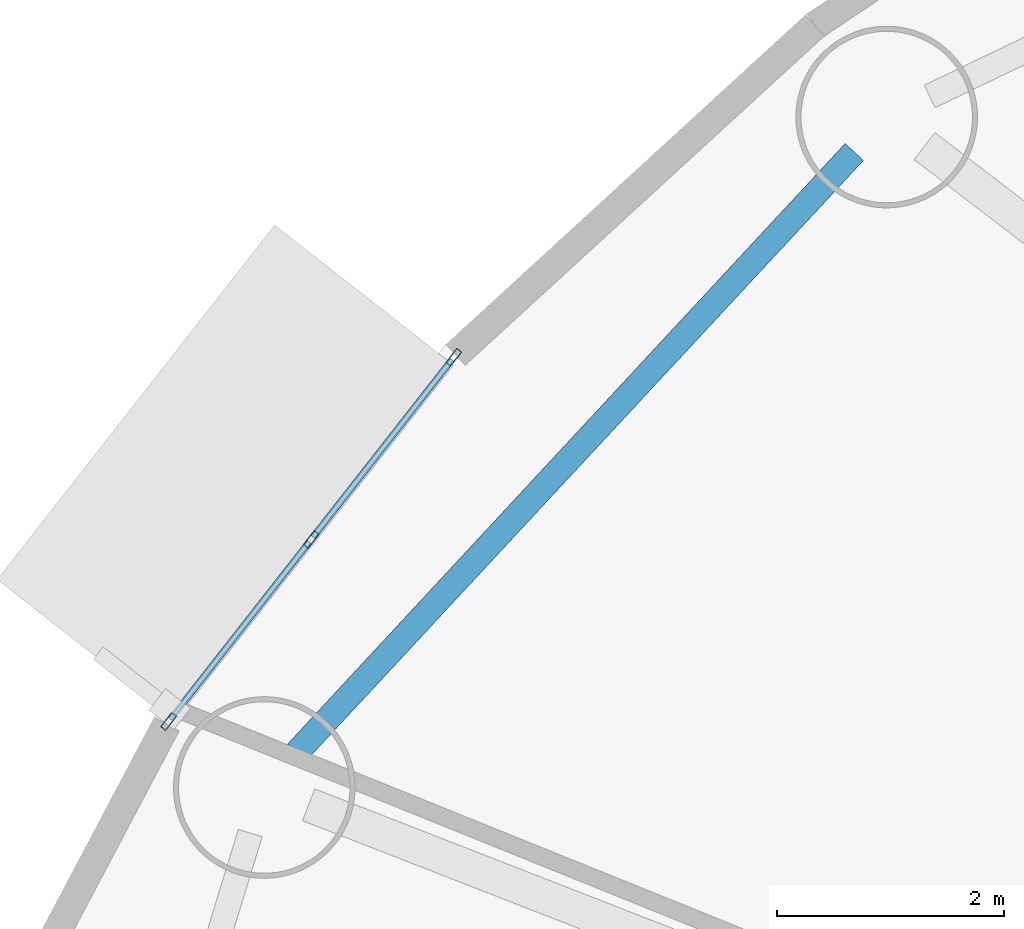
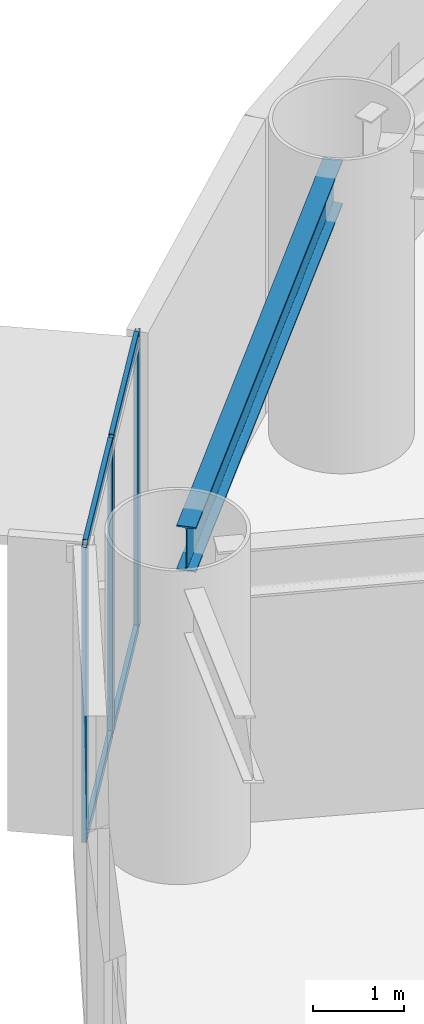
# One storey, part 10 of 32: 7 members, 1 beam, 1 element without a shape of its own.
"""IFC4 building model written with IfcOpenShell, lengths in metres."""

import ifcopenshell
import ifcopenshell.guid

model = None  # the IFC model being written
_history = None  # IfcOwnerHistory: only IFC2X3 demands one
_inside = {}  # id of a spatial element -> (the spatial element, [elements in it])
_under = {}  # id of a project, library or spatial element -> (it, [spatial elements below it])
_declared = {}  # id of a project -> (the project, [libraries it declares])
_typed = {}  # id of a type object -> (the type object, [elements of that type])
_made_of = {}  # id of a material, layer set ... -> (it, [elements and type objects made of it])


def new_model(schema):
    """Start an empty IFC model of exactly this schema.

    Asked for "IFC4X3", IfcOpenShell would pick the latest addendum, in which some entities
    have other attributes; the version numbers below select the first issue.
    IFC2X3 requires an IfcOwnerHistory on every rooted entity: one is made here for all.
    """
    global model, _history
    if schema == "IFC4X3":
        model = ifcopenshell.file(schema_version=(4, 3, 0, 0))
    else:
        model = ifcopenshell.file(schema=schema)
    _inside.clear()
    _under.clear()
    _declared.clear()
    _typed.clear()
    _made_of.clear()
    _history = None
    if model.schema == "IFC2X3":
        org = make("IfcOrganization", Name="unknown")
        user = make(
            "IfcPersonAndOrganization",
            ThePerson=make("IfcPerson", FamilyName="unknown"),
            TheOrganization=org,
        )
        app = make(
            "IfcApplication",
            ApplicationDeveloper=org,
            Version="unknown",
            ApplicationFullName="unknown",
            ApplicationIdentifier="unknown",
        )
        _history = make(
            "IfcOwnerHistory",
            OwningUser=user,
            OwningApplication=app,
            ChangeAction="ADDED",
            CreationDate=0,
        )
    return model


def make(cls, **values):
    """One entity of the class cls with the attributes given. An attribute that is None is left unset."""
    return model.create_entity(
        cls, **{name: value for name, value in values.items() if value is not None}
    )


def rooted(cls, **values):
    """An entity with a GlobalId (a new one), such as an element, a storey or a relation."""
    return make(cls, GlobalId=ifcopenshell.guid.new(), OwnerHistory=_history, **values)


def si_unit(unit_type, name, prefix=None):
    """IfcSIUnit, for example si_unit("LENGTHUNIT", "METRE", prefix="MILLI")."""
    return make("IfcSIUnit", UnitType=unit_type, Prefix=prefix, Name=name)


def assignment(units):
    """IfcUnitAssignment: the units of a project."""
    return None if units is None else make("IfcUnitAssignment", Units=units)


def point(xyz):
    """IfcCartesianPoint."""
    return None if xyz is None else make("IfcCartesianPoint", Coordinates=xyz)


def direction(xyz):
    """IfcDirection."""
    return None if xyz is None else make("IfcDirection", DirectionRatios=xyz)


def frame(location, z_axis=None, x_axis=None):
    """IfcAxis2Placement3D, a coordinate frame: its origin and axes. An axis left out is left unset."""
    return make(
        "IfcAxis2Placement3D",
        Location=point(location),
        Axis=direction(z_axis),
        RefDirection=direction(x_axis),
    )


def frame_2d(location, x_axis=None):
    """IfcAxis2Placement2D, a coordinate frame in the plane: its origin and x axis."""
    return make(
        "IfcAxis2Placement2D", Location=point(location), RefDirection=direction(x_axis)
    )


def origin():
    """The frame at (0, 0, 0) with its axes left unset."""
    return frame((0.0, 0.0, 0.0))


def origin_2d():
    """The frame at (0, 0) in the plane with its x axis left unset."""
    return frame_2d((0.0, 0.0))


def place(relative_to, where):
    """IfcLocalPlacement: puts the frame where relative to a parent placement (None: the world)."""
    return make(
        "IfcLocalPlacement", PlacementRelTo=relative_to, RelativePlacement=where
    )


def context(
    kind, dimensions, precision=None, world=None, true_north=None, identifier=None
):
    """IfcGeometricRepresentationContext, for example the 3D "Model" context."""
    return make(
        "IfcGeometricRepresentationContext",
        ContextIdentifier=identifier,
        ContextType=kind,
        CoordinateSpaceDimension=dimensions,
        Precision=precision,
        WorldCoordinateSystem=world,
        TrueNorth=true_north,
    )


def subcontext(parent, identifier, kind, view, scale=None):
    """IfcGeometricRepresentationSubContext, for example "Body" below "Model"."""
    return make(
        "IfcGeometricRepresentationSubContext",
        ContextIdentifier=identifier,
        ContextType=kind,
        ParentContext=parent,
        TargetScale=scale,
        TargetView=view,
    )


def project(units=None, contexts=None):
    """IfcProject with its units and contexts."""
    return rooted(
        "IfcProject",
        Name="project",
        RepresentationContexts=contexts,
        UnitsInContext=assignment(units),
    )


def spatial(cls, under=None, at=None, **own):
    """A site, building, storey or space (cls), placed at a placement, below another one or the project."""
    s = rooted(cls, ObjectPlacement=at, **own)
    if under is not None:
        _under.setdefault(under.id(), (under, []))[1].append(s)
    return s


def profile(cls, at=None, kind="AREA", **sizes):
    """A parametric profile (cls). Its sizes go by their IFC names, for example OverallWidth=200.0."""
    return make(cls, ProfileType=kind, Position=at, **sizes)


def hollow_rectangle(**sizes):
    """IfcRectangleHollowProfileDef."""
    return profile("IfcRectangleHollowProfileDef", **sizes)


def i_section(**sizes):
    """IfcIShapeProfileDef."""
    return profile("IfcIShapeProfileDef", **sizes)


def extrude(swept, where, along, depth):
    """IfcExtrudedAreaSolid: the profile swept, set in the frame where, extruded along a direction by depth."""
    return make(
        "IfcExtrudedAreaSolid",
        SweptArea=swept,
        Position=where,
        ExtrudedDirection=direction(along),
        Depth=depth,
    )


def shape(context_of_items, identifier, shape_type, items):
    """IfcShapeRepresentation: the items that make up one representation, for example the "Body"."""
    return make(
        "IfcShapeRepresentation",
        ContextOfItems=context_of_items,
        RepresentationIdentifier=identifier,
        RepresentationType=shape_type,
        Items=items,
    )


def source(mapping_origin, context_of_items, identifier, shape_type, items):
    """IfcRepresentationMap: a shape defined once, which mapped items show again and again."""
    return make(
        "IfcRepresentationMap",
        MappingOrigin=mapping_origin,
        MappedRepresentation=shape(context_of_items, identifier, shape_type, items),
    )


def transform(
    local_origin,
    x_axis=None,
    y_axis=None,
    z_axis=None,
    scale=None,
    scale2=None,
    scale3=None,
    uniform=True,
):
    """IfcCartesianTransformationOperator3D, or its non-uniform kind. x_axis, y_axis, z_axis: its Axis1, 2, 3."""
    if uniform:
        return make(
            "IfcCartesianTransformationOperator3D",
            Axis1=direction(x_axis),
            Axis2=direction(y_axis),
            LocalOrigin=point(local_origin),
            Scale=scale,
            Axis3=direction(z_axis),
        )
    return make(
        "IfcCartesianTransformationOperator3DnonUniform",
        Axis1=direction(x_axis),
        Axis2=direction(y_axis),
        LocalOrigin=point(local_origin),
        Scale=scale,
        Axis3=direction(z_axis),
        Scale2=scale2,
        Scale3=scale3,
    )


def mapped(mapping_source, mapping_target):
    """IfcMappedItem: shows the shape of a source again, moved by a transform."""
    return make(
        "IfcMappedItem", MappingSource=mapping_source, MappingTarget=mapping_target
    )


def material(Name=None, Category=None):
    """IfcMaterial."""
    return make("IfcMaterial", Name=Name, Category=Category)


def layer(
    of_material, thickness, ventilated=None, Name=None, Category=None, Priority=None
):
    """IfcMaterialLayer: one layer of a wall or slab, of a material (None: an air gap)."""
    return make(
        "IfcMaterialLayer",
        Material=of_material,
        LayerThickness=thickness,
        IsVentilated=ventilated,
        Name=Name,
        Category=Category,
        Priority=Priority,
    )


def layer_set(layers, Name=None):
    """IfcMaterialLayerSet."""
    return make("IfcMaterialLayerSet", MaterialLayers=layers, LayerSetName=Name)


def material_profile(
    of_material, cross_section, Name=None, Category=None, Priority=None
):
    """IfcMaterialProfile: a cross section and its material."""
    return make(
        "IfcMaterialProfile",
        Name=Name,
        Material=of_material,
        Profile=cross_section,
        Priority=Priority,
        Category=Category,
    )


def profile_set(profiles, Name=None, composite=None):
    """IfcMaterialProfileSet."""
    return make(
        "IfcMaterialProfileSet",
        Name=Name,
        MaterialProfiles=profiles,
        CompositeProfile=composite,
    )


def made_of(thing, what):
    """Note that an element or type object is made of a material, layer set ...; save() writes the relation."""
    if what is not None:
        _made_of.setdefault(what.id(), (what, []))[1].append(thing)
    return thing


def type_object(cls, material=None, **own):
    """A type object (cls), such as IfcWallType, which elements share."""
    return made_of(rooted(cls, **own), material)


def element(
    cls,
    number,
    at=None,
    inside=None,
    cuts=None,
    type_object=None,
    material=None,
    context=None,
    identifier="Body",
    shape_type=None,
    held_by="IfcProductDefinitionShape",
    body=None,
    shapes=None,
    **own,
):
    """One element of the class cls, such as IfcWall. Its Tag is "e" and its number.

    at: its placement. inside: the storey or other place that contains it. cuts: it is an
    opening in that element (IfcRelVoidsElement). A single representation is given by context,
    identifier, shape_type and body (its items); several are given by shapes. held_by: the class
    of the entity that holds the representations. save() writes the other relations.
    """
    e = rooted(cls, Tag="e%d" % number, ObjectPlacement=at, **own)
    if body is not None:
        shapes = [shape(context, identifier, shape_type, body)]
    if shapes is not None:
        e.Representation = make(held_by, Representations=shapes)
    if inside is not None:
        _inside.setdefault(inside.id(), (inside, []))[1].append(e)
    if cuts is not None:
        rooted(
            "IfcRelVoidsElement", RelatingBuildingElement=cuts, RelatedOpeningElement=e
        )
    if type_object is not None:
        _typed.setdefault(type_object.id(), (type_object, []))[1].append(e)
    return made_of(e, material)


def aggregate(whole, parts):
    """IfcRelAggregates: a whole, such as a stair, and the parts it consists of."""
    return rooted("IfcRelAggregates", RelatingObject=whole, RelatedObjects=parts)


def save(model, path):
    """Write the relations noted so far, then the file.

    IfcRelAggregates (storeys below a building ...), IfcRelContainedInSpatialStructure (elements
    in a storey), IfcRelDefinesByType, IfcRelAssociatesMaterial and IfcRelDeclares: one each for
    every whole, place, type object, material and project.
    """
    for whole, parts in _under.values():
        aggregate(whole, parts)
    for where, things in _inside.values():
        rooted(
            "IfcRelContainedInSpatialStructure",
            RelatedElements=things,
            RelatingStructure=where,
        )
    for kind, things in _typed.values():
        rooted("IfcRelDefinesByType", RelatedObjects=things, RelatingType=kind)
    for what, things in _made_of.values():
        rooted("IfcRelAssociatesMaterial", RelatedObjects=things, RelatingMaterial=what)
    for by, libraries in _declared.values():
        rooted("IfcRelDeclares", RelatingContext=by, RelatedDefinitions=libraries)
    model.write(path)


model = new_model("IFC4")

# Units and contexts
model_context = context("Model", 3, precision=1e-05, world=origin(), true_north=direction((0.0, 1.0)))
body_context = subcontext(model_context, "Body", "Model", "MODEL_VIEW")
ifc_project = project(units=[si_unit("LENGTHUNIT", "METRE"), si_unit("AREAUNIT", "SQUARE_METRE"), si_unit("VOLUMEUNIT", "CUBIC_METRE"), si_unit("PLANEANGLEUNIT", "RADIAN"), si_unit("MASSUNIT", "GRAM", prefix="KILO")], contexts=[model_context])

# Site, building, storey
site_placement = place(None, origin())
site = spatial("IfcSite", under=ifc_project, at=site_placement, CompositionType="ELEMENT")
building_placement = place(site_placement, origin())
building = spatial("IfcBuilding", under=site, at=building_placement, Name="Linh Dai School and Residence Tower", CompositionType="ELEMENT")
storey_placement = place(building_placement, frame((0.0, 0.0, 40.800048828125)))
storey = spatial("IfcBuildingStorey", under=building, at=storey_placement, Name="L09", CompositionType="ELEMENT", Elevation=40.800048828125)

# Beam
ifc_material_1 = material(Name="Structural Steel S355JR", Category="steel")
ifc_material_profile_1 = material_profile(ifc_material_1, i_section(OverallWidth=0.219970703125, OverallDepth=0.60009765625, WebThickness=0.011962890625, FlangeThickness=0.01904296875, FilletRadius=0.02392578125, at=origin_2d()), Name="IPE 600")
ifc_profile_set_1 = profile_set([ifc_material_profile_1], Name="Structural Steel S355JR")
beam_type = type_object("IfcBeamType", Name="BM-RB60", PredefinedType="BEAM", material=ifc_profile_set_1)
beam_placement = place(storey_placement, frame((14.361572265625, 43.061279296875, 3.64990234375), z_axis=(-0.680408287194, -0.732833243458, 0.0), x_axis=(0.732833243458, -0.680408287194, 0.0)))
element("IfcBeam", 1, at=beam_placement, inside=storey, type_object=beam_type, Name="L09 Perimeter Elliptical Ring Beam 07", PredefinedType="BEAM", context=body_context, shape_type="SweptSolid", body=[
    extrude(i_section(OverallWidth=0.219970703125, OverallDepth=0.60009765625, WebThickness=0.011962890625, FlangeThickness=0.01904296875, FilletRadius=0.02392578125, at=origin_2d()), origin(), (0.0, 0.0, 1.0), 7.21826171875),
])

# Curtain wall, members
ifc_material_2 = material(Name="Aluminium Anodised Curtain Wall", Category="aluminium")
ifc_layer = layer(ifc_material_2, 0.159912109375)
ifc_layer_set = layer_set([ifc_layer], Name="Aluminium Anodised Curtain Wall")
curtain_wall_type = type_object("IfcCurtainWallType", Name="CW-SYS-3", PredefinedType="USERDEFINED", material=ifc_layer_set)
curtain_wall_placement = place(storey_placement, origin())
curtain_wall = element("IfcCurtainWall", 2, at=curtain_wall_placement, inside=storey, type_object=curtain_wall_type, Name="L09 CW3 Curtain Wall 17", ObjectType="RIBBON CURTAIN WALL", PredefinedType="USERDEFINED")
ifc_material_3 = material(Name="Aluminium Alloy 6063-T6", Category="aluminium")
ifc_material_profile_2 = material_profile(ifc_material_3, hollow_rectangle(XDim=0.054931640625, YDim=0.1201171875, WallThickness=0.00390625, at=origin_2d()), Name="RHS 120x55x4")
ifc_profile_set_2 = profile_set([ifc_material_profile_2], Name="Aluminium Alloy 6063-T6")
member_type_1 = type_object("IfcMemberType", Name="CW-SYS-3-TRN", PredefinedType="USERDEFINED", material=ifc_profile_set_2)
shared_shape_1 = source(origin(), body_context, "Body", "SweptSolid", [
    extrude(hollow_rectangle(XDim=0.054931640625, YDim=0.1201171875, WallThickness=0.00390625, at=origin_2d()), origin(), (0.0, 0.0, 1.0), 1.98193359375),
])
member_1_placement = place(storey_placement, frame((8.33935546875, 38.066162109375, 0.02734375), z_axis=(0.616291654008, 0.787517998016, 0.0), x_axis=(-0.787517998016, 0.616291654008, 0.0)))
member_1 = element("IfcMember", 3, at=member_1_placement, type_object=member_type_1, Name="CW3 transom 1.1", ObjectType="TRANSOM", PredefinedType="USERDEFINED", context=body_context, shape_type="MappedRepresentation", body=[
    mapped(shared_shape_1, transform((0.0, 0.0, 0.0), x_axis=(1.0, 0.0, 0.0), y_axis=(0.0, 1.0, 0.0), z_axis=(0.0, 0.0, 1.0), scale=1.0)),
])
member_2_placement = place(storey_placement, frame((8.33935546875, 38.066162109375, 3.92236328125), z_axis=(0.616291654008, 0.787517998016, 0.0), x_axis=(-0.787517998016, 0.616291654008, 0.0)))
member_2 = element("IfcMember", 4, at=member_2_placement, type_object=member_type_1, Name="CW3 transom 1.2", ObjectType="TRANSOM", PredefinedType="USERDEFINED", context=body_context, shape_type="MappedRepresentation", body=[
    mapped(shared_shape_1, transform((0.0, 0.0, 0.0), x_axis=(1.0, 0.0, 0.0), y_axis=(0.0, 1.0, 0.0), z_axis=(0.0, 0.0, 1.0), scale=1.0)),
])
shared_shape_2 = source(origin(), body_context, "Body", "SweptSolid", [
    extrude(hollow_rectangle(XDim=0.054931640625, YDim=0.1201171875, WallThickness=0.00390625, at=origin_2d()), origin(), (0.0, 0.0, 1.0), 1.982177734375),
])
member_3_placement = place(storey_placement, frame((9.5947265625, 39.67041015625, 0.02734375), z_axis=(0.616368042389, 0.787458212429, 0.0), x_axis=(-0.787458212429, 0.616368042389, 0.0)))
member_3 = element("IfcMember", 5, at=member_3_placement, type_object=member_type_1, Name="CW3 transom 2.1", ObjectType="TRANSOM", PredefinedType="USERDEFINED", context=body_context, shape_type="MappedRepresentation", body=[
    mapped(shared_shape_2, transform((0.0, 0.0, 0.0), x_axis=(1.0, 0.0, 0.0), y_axis=(0.0, 1.0, 0.0), z_axis=(0.0, 0.0, 1.0), scale=1.0)),
])
member_4_placement = place(storey_placement, frame((9.5947265625, 39.67041015625, 3.92236328125), z_axis=(0.616368042389, 0.787458212429, 0.0), x_axis=(-0.787458212429, 0.616368042389, 0.0)))
member_4 = element("IfcMember", 6, at=member_4_placement, type_object=member_type_1, Name="CW3 transom 2.2", ObjectType="TRANSOM", PredefinedType="USERDEFINED", context=body_context, shape_type="MappedRepresentation", body=[
    mapped(shared_shape_2, transform((0.0, 0.0, 0.0), x_axis=(1.0, 0.0, 0.0), y_axis=(0.0, 1.0, 0.0), z_axis=(0.0, 0.0, 1.0), scale=1.0)),
])
ifc_material_profile_3 = material_profile(ifc_material_3, hollow_rectangle(XDim=0.054931640625, YDim=0.159912109375, WallThickness=0.00390625, at=origin_2d()), Name="RHS 160x55x4")
ifc_profile_set_3 = profile_set([ifc_material_profile_3], Name="Aluminium Alloy 6063-T6")
member_type_2 = type_object("IfcMemberType", Name="CW-SYS-3-MUL", PredefinedType="MULLION", material=ifc_profile_set_3)
shared_shape_3 = source(origin(), body_context, "Body", "SweptSolid", [
    extrude(hollow_rectangle(XDim=0.054931640625, YDim=0.159912109375, WallThickness=0.00390625, at=origin_2d()), origin(), (0.0, 0.0, 1.0), 3.949951171875),
])
member_5_placement = place(storey_placement, frame((8.322265625, 38.04443359375, 0.0), z_axis=(0.0, 0.0, 1.0), x_axis=(-0.787496262172, 0.616319427785, 0.0)))
member_5 = element("IfcMember", 7, at=member_5_placement, type_object=member_type_2, Name="CW3 mullion 1", PredefinedType="MULLION", context=body_context, shape_type="MappedRepresentation", body=[
    mapped(shared_shape_3, transform((0.0, 0.0, 0.0), x_axis=(1.0, 0.0, 0.0), y_axis=(0.0, 1.0, 0.0), z_axis=(0.0, 0.0, 1.0), scale=1.0)),
])
member_6_placement = place(storey_placement, frame((9.577880859375, 39.648681640625, 0.0), z_axis=(0.0, 0.0, 1.0), x_axis=(-0.787496262172, 0.616319427785, 0.0)))
member_6 = element("IfcMember", 8, at=member_6_placement, type_object=member_type_2, Name="CW3 mullion 2", PredefinedType="MULLION", context=body_context, shape_type="MappedRepresentation", body=[
    mapped(shared_shape_3, transform((0.0, 0.0, 0.0), x_axis=(1.0, 0.0, 0.0), y_axis=(0.0, 1.0, 0.0), z_axis=(0.0, 0.0, 1.0), scale=1.0)),
])
member_7_placement = place(storey_placement, frame((10.833251953125, 41.2529296875, 0.0), z_axis=(0.0, 0.0, 1.0), x_axis=(-0.787496262172, 0.616319427785, 0.0)))
member_7 = element("IfcMember", 9, at=member_7_placement, type_object=member_type_2, Name="CW3 mullion 3", PredefinedType="MULLION", context=body_context, shape_type="MappedRepresentation", body=[
    mapped(shared_shape_3, transform((0.0, 0.0, 0.0), x_axis=(1.0, 0.0, 0.0), y_axis=(0.0, 1.0, 0.0), z_axis=(0.0, 0.0, 1.0), scale=1.0)),
])
aggregate(curtain_wall, [member_5, member_6, member_7, member_1, member_2, member_3, member_4])

save(model, "model.ifc")
